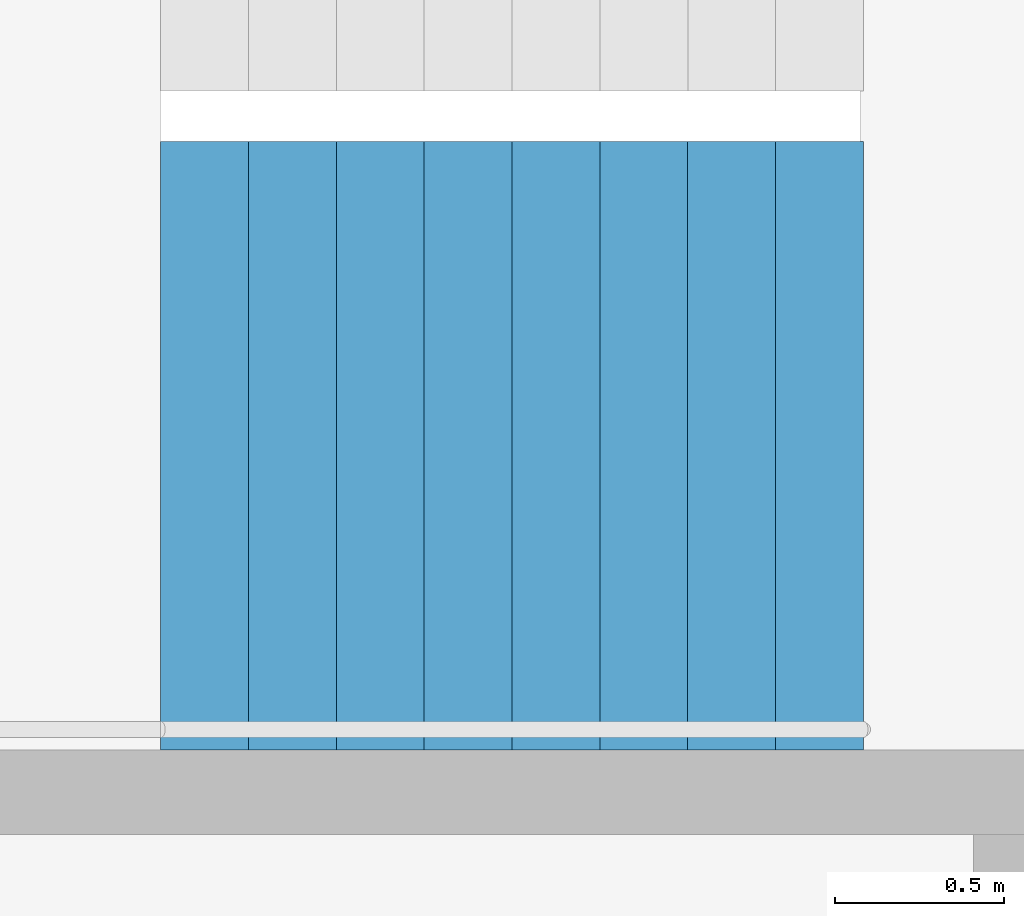
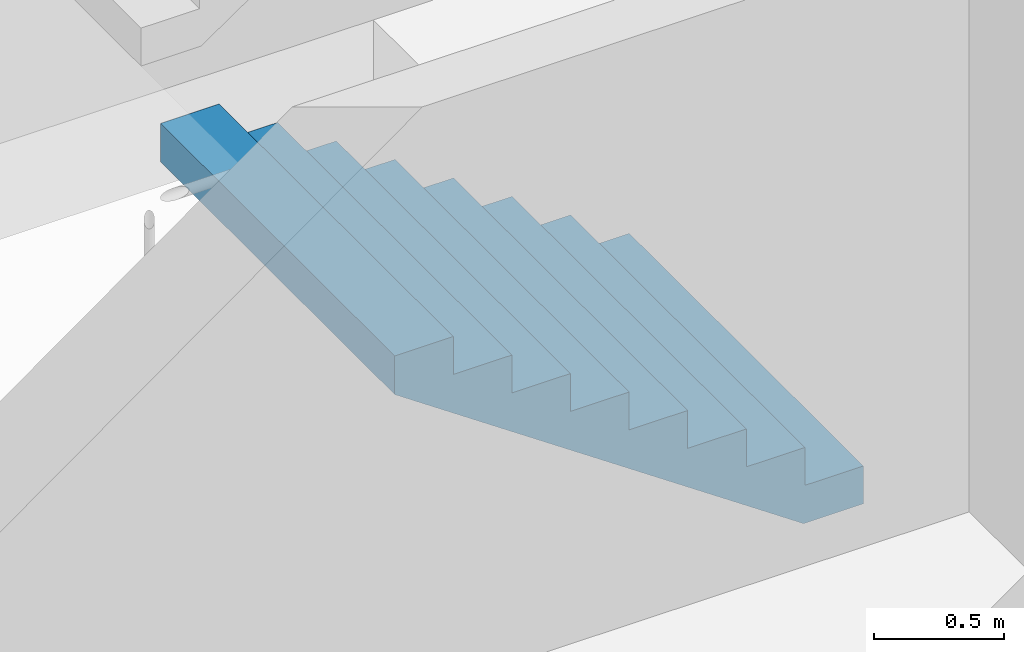
# One storey, part 24 of 26: 1 stair flight, 1 element without a shape of its own.
"""IFC4 building model written with IfcOpenShell, lengths in metres."""

from ifc_helpers import new_model, si_unit, direction, frame, origin, place, context, subcontext, project, spatial, triangles, material, type_object, element, aggregate, save


model = new_model("IFC4")

# Units and contexts
model_context = context("Model", 3, precision=1e-05, world=origin(), true_north=direction((0.0, 1.0)))
body_context = subcontext(model_context, "Body", "Model", "MODEL_VIEW")
ifc_project = project(units=[si_unit("LENGTHUNIT", "METRE"), si_unit("AREAUNIT", "SQUARE_METRE"), si_unit("VOLUMEUNIT", "CUBIC_METRE"), si_unit("PLANEANGLEUNIT", "RADIAN"), si_unit("MASSUNIT", "GRAM", prefix="KILO")], contexts=[model_context])

# Site, building, storey
site_placement = place(None, origin())
site = spatial("IfcSite", under=ifc_project, at=site_placement, CompositionType="ELEMENT")
building_placement = place(site_placement, origin())
building = spatial("IfcBuilding", under=site, at=building_placement, Name="Hakoniwa Tower and Hamabe Station Hall", CompositionType="ELEMENT")
storey_placement = place(building_placement, frame((0.0, 0.0, 156.60009765625)))
storey = spatial("IfcBuildingStorey", under=building, at=storey_placement, Name="L44", CompositionType="ELEMENT", Elevation=156.60009765625)

# Stair, stair flight
ifc_material_1 = material(Name="Concrete C40", Category="concrete")
stair_type = type_object("IfcStairType", Name="ESCAPE STAIR 1800", PredefinedType="HALF_TURN_STAIR", material=ifc_material_1)
stair_placement = place(storey_placement, origin())
stair = element("IfcStair", 1, at=stair_placement, inside=storey, type_object=stair_type, Name="Escape stair ST-3 L44", PredefinedType="HALF_TURN_STAIR")
ifc_material_2 = material(Name="Concrete C40", Category="concrete")
stair_flight_type = type_object("IfcStairFlightType", Name="STAIR FLIGHT 1800", PredefinedType="STRAIGHT", material=ifc_material_2)
stair_flight_placement = place(storey_placement, frame((24.39990234375, 4.64990234375, 0.0), z_axis=(0.0, 0.0, 1.0), x_axis=(-1.0, 0.0, 0.0)))
stair_flight = element("IfcStairFlight", 2, at=stair_flight_placement, type_object=stair_flight_type, Name="ST-3 flight 1", NumberOfRisers=9, NumberOfTreads=8, PredefinedType="STRAIGHT", RiserHeight=0.177777778, TreadLength=0.26, context=body_context, shape_type="Tessellation", body=[
    triangles([(0.0, 0.89990234375, 0.0), (0.260009765625, 0.89990234375, 0.0), (0.265625, 0.89990234375, 0.0), (0.52001953125, 0.89990234375, 0.174072265625), (0.780029296875, 0.89990234375, 0.351806640625), (1.0400390625, 0.89990234375, 0.529541015625), (1.300048828125, 0.89990234375, 0.707275390625), (1.56005859375, 0.89990234375, 0.885009765625), (1.820068359375, 0.89990234375, 1.062744140625), (2.080078125, 0.89990234375, 1.24072265625), (2.080078125, 0.89990234375, 1.422119140625), (1.820068359375, 0.89990234375, 1.422119140625), (1.820068359375, 0.89990234375, 1.244384765625), (1.56005859375, 0.89990234375, 1.244384765625), (1.56005859375, 0.89990234375, 1.066650390625), (1.300048828125, 0.89990234375, 1.066650390625), (1.300048828125, 0.89990234375, 0.888916015625), (1.0400390625, 0.89990234375, 0.888916015625), (1.0400390625, 0.89990234375, 0.711181640625), (0.780029296875, 0.89990234375, 0.711181640625), (0.780029296875, 0.89990234375, 0.533447265625), (0.52001953125, 0.89990234375, 0.533447265625), (0.52001953125, 0.89990234375, 0.35546875), (0.265625, 0.89990234375, 0.35546875), (0.260009765625, 0.89990234375, 0.35546875), (0.260009765625, 0.89990234375, 0.177734375), (0.0, 0.89990234375, 0.177734375), (0.0, 0.06005859375, 0.0), (0.260009765625, 0.06005859375, 0.0), (0.265625, 0.06005859375, 0.0), (0.52001953125, 0.06005859375, 0.174072265625), (0.780029296875, 0.06005859375, 0.351806640625), (1.0400390625, 0.06005859375, 0.529541015625), (1.300048828125, 0.06005859375, 0.707275390625), (1.56005859375, 0.06005859375, 0.885009765625), (1.820068359375, 0.06005859375, 1.062744140625), (2.080078125, 0.06005859375, 1.24072265625), (2.080078125, 0.06005859375, 1.422119140625), (1.820068359375, 0.06005859375, 1.422119140625), (1.820068359375, 0.06005859375, 1.244384765625), (1.56005859375, 0.06005859375, 1.244384765625), (1.56005859375, 0.06005859375, 1.066650390625), (1.300048828125, 0.06005859375, 1.066650390625), (1.300048828125, 0.06005859375, 0.888916015625), (1.0400390625, 0.06005859375, 0.888916015625), (1.0400390625, 0.06005859375, 0.711181640625), (0.780029296875, 0.06005859375, 0.711181640625), (0.780029296875, 0.06005859375, 0.533447265625), (0.52001953125, 0.06005859375, 0.533447265625), (0.52001953125, 0.06005859375, 0.35546875), (0.265625, 0.06005859375, 0.35546875), (0.260009765625, 0.06005859375, 0.35546875), (0.260009765625, 0.06005859375, 0.177734375), (0.0, 0.06005859375, 0.177734375), (0.0, 0.04296875, 0.0), (0.260009765625, 0.04296875, 0.0), (0.265625, 0.04296875, 0.0), (0.52001953125, 0.04296875, 0.174072265625), (0.780029296875, 0.04296875, 0.351806640625), (1.0400390625, 0.04296875, 0.529541015625), (1.300048828125, 0.04296875, 0.707275390625), (1.56005859375, 0.04296875, 0.885009765625), (1.820068359375, 0.04296875, 1.062744140625), (2.080078125, 0.04296875, 1.24072265625), (2.080078125, 0.04296875, 1.422119140625), (1.820068359375, 0.04296875, 1.422119140625), (1.820068359375, 0.04296875, 1.244384765625), (1.56005859375, 0.04296875, 1.244384765625), (1.56005859375, 0.04296875, 1.066650390625), (1.300048828125, 0.04296875, 1.066650390625), (1.300048828125, 0.04296875, 0.888916015625), (1.0400390625, 0.04296875, 0.888916015625), (1.0400390625, 0.04296875, 0.711181640625), (0.780029296875, 0.04296875, 0.711181640625), (0.780029296875, 0.04296875, 0.533447265625), (0.52001953125, 0.04296875, 0.533447265625), (0.52001953125, 0.04296875, 0.35546875), (0.265625, 0.04296875, 0.35546875), (0.260009765625, 0.04296875, 0.35546875), (0.260009765625, 0.04296875, 0.177734375), (0.0, 0.04296875, 0.177734375), (0.0, 0.025634765625, 0.0), (0.260009765625, 0.025634765625, 0.0), (0.265625, 0.025634765625, 0.0), (0.52001953125, 0.025634765625, 0.174072265625), (0.780029296875, 0.025634765625, 0.351806640625), (1.0400390625, 0.025634765625, 0.529541015625), (1.300048828125, 0.025634765625, 0.707275390625), (1.56005859375, 0.025634765625, 0.885009765625), (1.820068359375, 0.025634765625, 1.062744140625), (2.080078125, 0.025634765625, 1.24072265625), (2.080078125, 0.025634765625, 1.422119140625), (1.820068359375, 0.025634765625, 1.422119140625), (1.820068359375, 0.025634765625, 1.244384765625), (1.56005859375, 0.025634765625, 1.244384765625), (1.56005859375, 0.025634765625, 1.066650390625), (1.300048828125, 0.025634765625, 1.066650390625), (1.300048828125, 0.025634765625, 0.888916015625), (1.0400390625, 0.025634765625, 0.888916015625), (1.0400390625, 0.025634765625, 0.711181640625), (0.780029296875, 0.025634765625, 0.711181640625), (0.780029296875, 0.025634765625, 0.533447265625), (0.52001953125, 0.025634765625, 0.533447265625), (0.52001953125, 0.025634765625, 0.35546875), (0.265625, 0.025634765625, 0.35546875), (0.260009765625, 0.025634765625, 0.35546875), (0.260009765625, 0.025634765625, 0.177734375), (0.0, 0.025634765625, 0.177734375), (0.0, 0.008544921875, 0.0), (0.260009765625, 0.008544921875, 0.0), (0.265625, 0.008544921875, 0.0), (0.52001953125, 0.008544921875, 0.174072265625), (0.780029296875, 0.008544921875, 0.351806640625), (1.0400390625, 0.008544921875, 0.529541015625), (1.300048828125, 0.008544921875, 0.707275390625), (1.56005859375, 0.008544921875, 0.885009765625), (1.820068359375, 0.008544921875, 1.062744140625), (2.080078125, 0.008544921875, 1.24072265625), (2.080078125, 0.008544921875, 1.422119140625), (1.820068359375, 0.008544921875, 1.422119140625), (1.820068359375, 0.008544921875, 1.244384765625), (1.56005859375, 0.008544921875, 1.244384765625), (1.56005859375, 0.008544921875, 1.066650390625), (1.300048828125, 0.008544921875, 1.066650390625), (1.300048828125, 0.008544921875, 0.888916015625), (1.0400390625, 0.008544921875, 0.888916015625), (1.0400390625, 0.008544921875, 0.711181640625), (0.780029296875, 0.008544921875, 0.711181640625), (0.780029296875, 0.008544921875, 0.533447265625), (0.52001953125, 0.008544921875, 0.533447265625), (0.52001953125, 0.008544921875, 0.35546875), (0.265625, 0.008544921875, 0.35546875), (0.260009765625, 0.008544921875, 0.35546875), (0.260009765625, 0.008544921875, 0.177734375), (0.0, 0.008544921875, 0.177734375), (0.0, -0.008544921875, 0.0), (0.260009765625, -0.008544921875, 0.0), (0.265625, -0.008544921875, 0.0), (0.52001953125, -0.008544921875, 0.174072265625), (0.780029296875, -0.008544921875, 0.351806640625), (1.0400390625, -0.008544921875, 0.529541015625), (1.300048828125, -0.008544921875, 0.707275390625), (1.56005859375, -0.008544921875, 0.885009765625), (1.820068359375, -0.008544921875, 1.062744140625), (2.080078125, -0.008544921875, 1.24072265625), (2.080078125, -0.008544921875, 1.422119140625), (1.820068359375, -0.008544921875, 1.422119140625), (1.820068359375, -0.008544921875, 1.244384765625), (1.56005859375, -0.008544921875, 1.244384765625), (1.56005859375, -0.008544921875, 1.066650390625), (1.300048828125, -0.008544921875, 1.066650390625), (1.300048828125, -0.008544921875, 0.888916015625), (1.0400390625, -0.008544921875, 0.888916015625), (1.0400390625, -0.008544921875, 0.711181640625), (0.780029296875, -0.008544921875, 0.711181640625), (0.780029296875, -0.008544921875, 0.533447265625), (0.52001953125, -0.008544921875, 0.533447265625), (0.52001953125, -0.008544921875, 0.35546875), (0.265625, -0.008544921875, 0.35546875), (0.260009765625, -0.008544921875, 0.35546875), (0.260009765625, -0.008544921875, 0.177734375), (0.0, -0.008544921875, 0.177734375), (0.0, -0.025634765625, 0.0), (0.260009765625, -0.025634765625, 0.0), (0.265625, -0.025634765625, 0.0), (0.52001953125, -0.025634765625, 0.174072265625), (0.780029296875, -0.025634765625, 0.351806640625), (1.0400390625, -0.025634765625, 0.529541015625), (1.300048828125, -0.025634765625, 0.707275390625), (1.56005859375, -0.025634765625, 0.885009765625), (1.820068359375, -0.025634765625, 1.062744140625), (2.080078125, -0.025634765625, 1.24072265625), (2.080078125, -0.025634765625, 1.422119140625), (1.820068359375, -0.025634765625, 1.422119140625), (1.820068359375, -0.025634765625, 1.244384765625), (1.56005859375, -0.025634765625, 1.244384765625), (1.56005859375, -0.025634765625, 1.066650390625), (1.300048828125, -0.025634765625, 1.066650390625), (1.300048828125, -0.025634765625, 0.888916015625), (1.0400390625, -0.025634765625, 0.888916015625), (1.0400390625, -0.025634765625, 0.711181640625), (0.780029296875, -0.025634765625, 0.711181640625), (0.780029296875, -0.025634765625, 0.533447265625), (0.52001953125, -0.025634765625, 0.533447265625), (0.52001953125, -0.025634765625, 0.35546875), (0.265625, -0.025634765625, 0.35546875), (0.260009765625, -0.025634765625, 0.35546875), (0.260009765625, -0.025634765625, 0.177734375), (0.0, -0.025634765625, 0.177734375), (0.0, -0.04296875, 0.0), (0.260009765625, -0.04296875, 0.0), (0.265625, -0.04296875, 0.0), (0.52001953125, -0.04296875, 0.174072265625), (0.780029296875, -0.04296875, 0.351806640625), (1.0400390625, -0.04296875, 0.529541015625), (1.300048828125, -0.04296875, 0.707275390625), (1.56005859375, -0.04296875, 0.885009765625), (1.820068359375, -0.04296875, 1.062744140625), (2.080078125, -0.04296875, 1.24072265625), (2.080078125, -0.04296875, 1.422119140625), (1.820068359375, -0.04296875, 1.422119140625), (1.820068359375, -0.04296875, 1.244384765625), (1.56005859375, -0.04296875, 1.244384765625), (1.56005859375, -0.04296875, 1.066650390625), (1.300048828125, -0.04296875, 1.066650390625), (1.300048828125, -0.04296875, 0.888916015625), (1.0400390625, -0.04296875, 0.888916015625), (1.0400390625, -0.04296875, 0.711181640625), (0.780029296875, -0.04296875, 0.711181640625), (0.780029296875, -0.04296875, 0.533447265625), (0.52001953125, -0.04296875, 0.533447265625), (0.52001953125, -0.04296875, 0.35546875), (0.265625, -0.04296875, 0.35546875), (0.260009765625, -0.04296875, 0.35546875), (0.260009765625, -0.04296875, 0.177734375), (0.0, -0.04296875, 0.177734375), (0.0, -0.06005859375, 0.0), (0.260009765625, -0.06005859375, 0.0), (0.265625, -0.06005859375, 0.0), (0.52001953125, -0.06005859375, 0.174072265625), (0.780029296875, -0.06005859375, 0.351806640625), (1.0400390625, -0.06005859375, 0.529541015625), (1.300048828125, -0.06005859375, 0.707275390625), (1.56005859375, -0.06005859375, 0.885009765625), (1.820068359375, -0.06005859375, 1.062744140625), (2.080078125, -0.06005859375, 1.24072265625), (2.080078125, -0.06005859375, 1.422119140625), (1.820068359375, -0.06005859375, 1.422119140625), (1.820068359375, -0.06005859375, 1.244384765625), (1.56005859375, -0.06005859375, 1.244384765625), (1.56005859375, -0.06005859375, 1.066650390625), (1.300048828125, -0.06005859375, 1.066650390625), (1.300048828125, -0.06005859375, 0.888916015625), (1.0400390625, -0.06005859375, 0.888916015625), (1.0400390625, -0.06005859375, 0.711181640625), (0.780029296875, -0.06005859375, 0.711181640625), (0.780029296875, -0.06005859375, 0.533447265625), (0.52001953125, -0.06005859375, 0.533447265625), (0.52001953125, -0.06005859375, 0.35546875), (0.265625, -0.06005859375, 0.35546875), (0.260009765625, -0.06005859375, 0.35546875), (0.260009765625, -0.06005859375, 0.177734375), (0.0, -0.06005859375, 0.177734375), (0.0, -0.89990234375, 0.0), (0.260009765625, -0.89990234375, 0.0), (0.265625, -0.89990234375, 0.0), (0.52001953125, -0.89990234375, 0.174072265625), (0.780029296875, -0.89990234375, 0.351806640625), (1.0400390625, -0.89990234375, 0.529541015625), (1.300048828125, -0.89990234375, 0.707275390625), (1.56005859375, -0.89990234375, 0.885009765625), (1.820068359375, -0.89990234375, 1.062744140625), (2.080078125, -0.89990234375, 1.24072265625), (2.080078125, -0.89990234375, 1.422119140625), (1.820068359375, -0.89990234375, 1.422119140625), (1.820068359375, -0.89990234375, 1.244384765625), (1.56005859375, -0.89990234375, 1.244384765625), (1.56005859375, -0.89990234375, 1.066650390625), (1.300048828125, -0.89990234375, 1.066650390625), (1.300048828125, -0.89990234375, 0.888916015625), (1.0400390625, -0.89990234375, 0.888916015625), (1.0400390625, -0.89990234375, 0.711181640625), (0.780029296875, -0.89990234375, 0.711181640625), (0.780029296875, -0.89990234375, 0.533447265625), (0.52001953125, -0.89990234375, 0.533447265625), (0.52001953125, -0.89990234375, 0.35546875), (0.265625, -0.89990234375, 0.35546875), (0.260009765625, -0.89990234375, 0.35546875), (0.260009765625, -0.89990234375, 0.177734375), (0.0, -0.89990234375, 0.177734375)], [[2, 27, 26], [245, 269, 270], [2, 1, 27], [245, 270, 244], [3, 25, 24], [246, 267, 268], [3, 26, 25], [246, 268, 269], [3, 2, 26], [246, 269, 245], [4, 24, 23], [247, 266, 267], [4, 3, 24], [247, 267, 246], [5, 22, 21], [248, 264, 265], [5, 23, 22], [248, 265, 266], [5, 4, 23], [248, 266, 247], [6, 20, 19], [249, 262, 263], [6, 21, 20], [249, 263, 264], [6, 5, 21], [249, 264, 248], [7, 18, 17], [250, 260, 261], [7, 19, 18], [250, 261, 262], [7, 6, 19], [250, 262, 249], [8, 16, 15], [251, 258, 259], [8, 17, 16], [251, 259, 260], [8, 7, 17], [251, 260, 250], [9, 14, 13], [252, 256, 257], [9, 15, 14], [252, 257, 258], [9, 8, 15], [252, 258, 251], [10, 12, 11], [253, 254, 255], [10, 13, 12], [253, 255, 256], [10, 9, 13], [253, 256, 252], [1, 2, 29], [1, 29, 28], [28, 29, 56], [28, 56, 55], [55, 56, 83], [55, 83, 82], [82, 83, 110], [82, 110, 109], [109, 110, 137], [109, 137, 136], [136, 137, 164], [136, 164, 163], [163, 164, 191], [163, 191, 190], [190, 191, 218], [190, 218, 217], [217, 218, 245], [217, 245, 244], [2, 3, 30], [2, 30, 29], [29, 30, 57], [29, 57, 56], [56, 57, 84], [56, 84, 83], [83, 84, 111], [83, 111, 110], [110, 111, 138], [110, 138, 137], [137, 138, 165], [137, 165, 164], [164, 165, 192], [164, 192, 191], [191, 192, 219], [191, 219, 218], [218, 219, 246], [218, 246, 245], [3, 4, 31], [3, 31, 30], [30, 31, 58], [30, 58, 57], [57, 58, 85], [57, 85, 84], [84, 85, 112], [84, 112, 111], [111, 112, 139], [111, 139, 138], [138, 139, 166], [138, 166, 165], [165, 166, 193], [165, 193, 192], [192, 193, 220], [192, 220, 219], [219, 220, 247], [219, 247, 246], [4, 5, 32], [4, 32, 31], [31, 32, 59], [31, 59, 58], [58, 59, 86], [58, 86, 85], [85, 86, 113], [85, 113, 112], [112, 113, 140], [112, 140, 139], [139, 140, 167], [139, 167, 166], [166, 167, 194], [166, 194, 193], [193, 194, 221], [193, 221, 220], [220, 221, 248], [220, 248, 247], [5, 6, 33], [5, 33, 32], [32, 33, 60], [32, 60, 59], [59, 60, 87], [59, 87, 86], [86, 87, 114], [86, 114, 113], [113, 114, 141], [113, 141, 140], [140, 141, 168], [140, 168, 167], [167, 168, 195], [167, 195, 194], [194, 195, 222], [194, 222, 221], [221, 222, 249], [221, 249, 248], [6, 7, 34], [6, 34, 33], [33, 34, 61], [33, 61, 60], [60, 61, 88], [60, 88, 87], [87, 88, 115], [87, 115, 114], [114, 115, 142], [114, 142, 141], [141, 142, 169], [141, 169, 168], [168, 169, 196], [168, 196, 195], [195, 196, 223], [195, 223, 222], [222, 223, 250], [222, 250, 249], [7, 8, 35], [7, 35, 34], [34, 35, 62], [34, 62, 61], [61, 62, 89], [61, 89, 88], [88, 89, 116], [88, 116, 115], [115, 116, 143], [115, 143, 142], [142, 143, 170], [142, 170, 169], [169, 170, 197], [169, 197, 196], [196, 197, 224], [196, 224, 223], [223, 224, 251], [223, 251, 250], [8, 9, 36], [8, 36, 35], [35, 36, 63], [35, 63, 62], [62, 63, 90], [62, 90, 89], [89, 90, 117], [89, 117, 116], [116, 117, 144], [116, 144, 143], [143, 144, 171], [143, 171, 170], [170, 171, 198], [170, 198, 197], [197, 198, 225], [197, 225, 224], [224, 225, 252], [224, 252, 251], [9, 10, 37], [9, 37, 36], [36, 37, 64], [36, 64, 63], [63, 64, 91], [63, 91, 90], [90, 91, 118], [90, 118, 117], [117, 118, 145], [117, 145, 144], [144, 145, 172], [144, 172, 171], [171, 172, 199], [171, 199, 198], [198, 199, 226], [198, 226, 225], [225, 226, 253], [225, 253, 252], [10, 11, 38], [10, 38, 37], [37, 38, 65], [37, 65, 64], [64, 65, 92], [64, 92, 91], [91, 92, 119], [91, 119, 118], [118, 119, 146], [118, 146, 145], [145, 146, 173], [145, 173, 172], [172, 173, 200], [172, 200, 199], [199, 200, 227], [199, 227, 226], [226, 227, 254], [226, 254, 253], [11, 12, 39], [11, 39, 38], [38, 39, 66], [38, 66, 65], [65, 66, 93], [65, 93, 92], [92, 93, 120], [92, 120, 119], [119, 120, 147], [119, 147, 146], [146, 147, 174], [146, 174, 173], [173, 174, 201], [173, 201, 200], [200, 201, 228], [200, 228, 227], [227, 228, 255], [227, 255, 254], [12, 13, 40], [12, 40, 39], [39, 40, 67], [39, 67, 66], [66, 67, 94], [66, 94, 93], [93, 94, 121], [93, 121, 120], [120, 121, 148], [120, 148, 147], [147, 148, 175], [147, 175, 174], [174, 175, 202], [174, 202, 201], [201, 202, 229], [201, 229, 228], [228, 229, 256], [228, 256, 255], [13, 14, 41], [13, 41, 40], [40, 41, 68], [40, 68, 67], [67, 68, 95], [67, 95, 94], [94, 95, 122], [94, 122, 121], [121, 122, 149], [121, 149, 148], [148, 149, 176], [148, 176, 175], [175, 176, 203], [175, 203, 202], [202, 203, 230], [202, 230, 229], [229, 230, 257], [229, 257, 256], [14, 15, 42], [14, 42, 41], [41, 42, 69], [41, 69, 68], [68, 69, 96], [68, 96, 95], [95, 96, 123], [95, 123, 122], [122, 123, 150], [122, 150, 149], [149, 150, 177], [149, 177, 176], [176, 177, 204], [176, 204, 203], [203, 204, 231], [203, 231, 230], [230, 231, 258], [230, 258, 257], [15, 16, 43], [15, 43, 42], [42, 43, 70], [42, 70, 69], [69, 70, 97], [69, 97, 96], [96, 97, 124], [96, 124, 123], [123, 124, 151], [123, 151, 150], [150, 151, 178], [150, 178, 177], [177, 178, 205], [177, 205, 204], [204, 205, 232], [204, 232, 231], [231, 232, 259], [231, 259, 258], [16, 17, 44], [16, 44, 43], [43, 44, 71], [43, 71, 70], [70, 71, 98], [70, 98, 97], [97, 98, 125], [97, 125, 124], [124, 125, 152], [124, 152, 151], [151, 152, 179], [151, 179, 178], [178, 179, 206], [178, 206, 205], [205, 206, 233], [205, 233, 232], [232, 233, 260], [232, 260, 259], [17, 18, 45], [17, 45, 44], [44, 45, 72], [44, 72, 71], [71, 72, 99], [71, 99, 98], [98, 99, 126], [98, 126, 125], [125, 126, 153], [125, 153, 152], [152, 153, 180], [152, 180, 179], [179, 180, 207], [179, 207, 206], [206, 207, 234], [206, 234, 233], [233, 234, 261], [233, 261, 260], [18, 19, 46], [18, 46, 45], [45, 46, 73], [45, 73, 72], [72, 73, 100], [72, 100, 99], [99, 100, 127], [99, 127, 126], [126, 127, 154], [126, 154, 153], [153, 154, 181], [153, 181, 180], [180, 181, 208], [180, 208, 207], [207, 208, 235], [207, 235, 234], [234, 235, 262], [234, 262, 261], [19, 20, 47], [19, 47, 46], [46, 47, 74], [46, 74, 73], [73, 74, 101], [73, 101, 100], [100, 101, 128], [100, 128, 127], [127, 128, 155], [127, 155, 154], [154, 155, 182], [154, 182, 181], [181, 182, 209], [181, 209, 208], [208, 209, 236], [208, 236, 235], [235, 236, 263], [235, 263, 262], [20, 21, 48], [20, 48, 47], [47, 48, 75], [47, 75, 74], [74, 75, 102], [74, 102, 101], [101, 102, 129], [101, 129, 128], [128, 129, 156], [128, 156, 155], [155, 156, 183], [155, 183, 182], [182, 183, 210], [182, 210, 209], [209, 210, 237], [209, 237, 236], [236, 237, 264], [236, 264, 263], [21, 22, 49], [21, 49, 48], [48, 49, 76], [48, 76, 75], [75, 76, 103], [75, 103, 102], [102, 103, 130], [102, 130, 129], [129, 130, 157], [129, 157, 156], [156, 157, 184], [156, 184, 183], [183, 184, 211], [183, 211, 210], [210, 211, 238], [210, 238, 237], [237, 238, 265], [237, 265, 264], [22, 23, 50], [22, 50, 49], [49, 50, 77], [49, 77, 76], [76, 77, 104], [76, 104, 103], [103, 104, 131], [103, 131, 130], [130, 131, 158], [130, 158, 157], [157, 158, 185], [157, 185, 184], [184, 185, 212], [184, 212, 211], [211, 212, 239], [211, 239, 238], [238, 239, 266], [238, 266, 265], [23, 24, 51], [23, 51, 50], [50, 51, 78], [50, 78, 77], [77, 78, 105], [77, 105, 104], [104, 105, 132], [104, 132, 131], [131, 132, 159], [131, 159, 158], [158, 159, 186], [158, 186, 185], [185, 186, 213], [185, 213, 212], [212, 213, 240], [212, 240, 239], [239, 240, 267], [239, 267, 266], [24, 25, 52], [24, 52, 51], [51, 52, 79], [51, 79, 78], [78, 79, 106], [78, 106, 105], [105, 106, 133], [105, 133, 132], [132, 133, 160], [132, 160, 159], [159, 160, 187], [159, 187, 186], [186, 187, 214], [186, 214, 213], [213, 214, 241], [213, 241, 240], [240, 241, 268], [240, 268, 267], [25, 26, 53], [25, 53, 52], [52, 53, 80], [52, 80, 79], [79, 80, 107], [79, 107, 106], [106, 107, 134], [106, 134, 133], [133, 134, 161], [133, 161, 160], [160, 161, 188], [160, 188, 187], [187, 188, 215], [187, 215, 214], [214, 215, 242], [214, 242, 241], [241, 242, 269], [241, 269, 268], [26, 27, 54], [26, 54, 53], [53, 54, 81], [53, 81, 80], [80, 81, 108], [80, 108, 107], [107, 108, 135], [107, 135, 134], [134, 135, 162], [134, 162, 161], [161, 162, 189], [161, 189, 188], [188, 189, 216], [188, 216, 215], [215, 216, 243], [215, 243, 242], [242, 243, 270], [242, 270, 269], [27, 1, 28], [27, 28, 54], [54, 28, 55], [54, 55, 81], [81, 55, 82], [81, 82, 108], [108, 82, 109], [108, 109, 135], [135, 109, 136], [135, 136, 162], [162, 136, 163], [162, 163, 189], [189, 163, 190], [189, 190, 216], [216, 190, 217], [216, 217, 243], [243, 217, 244], [243, 244, 270]], closed=True),
])
aggregate(stair, [stair_flight])

save(model, "model.ifc")
